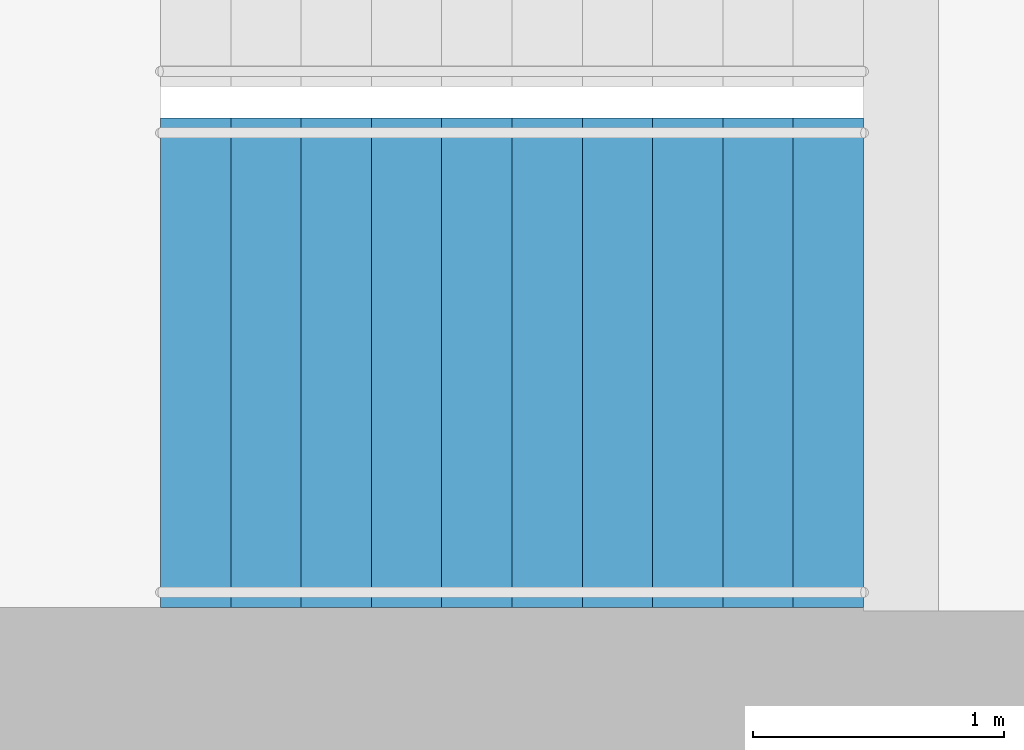
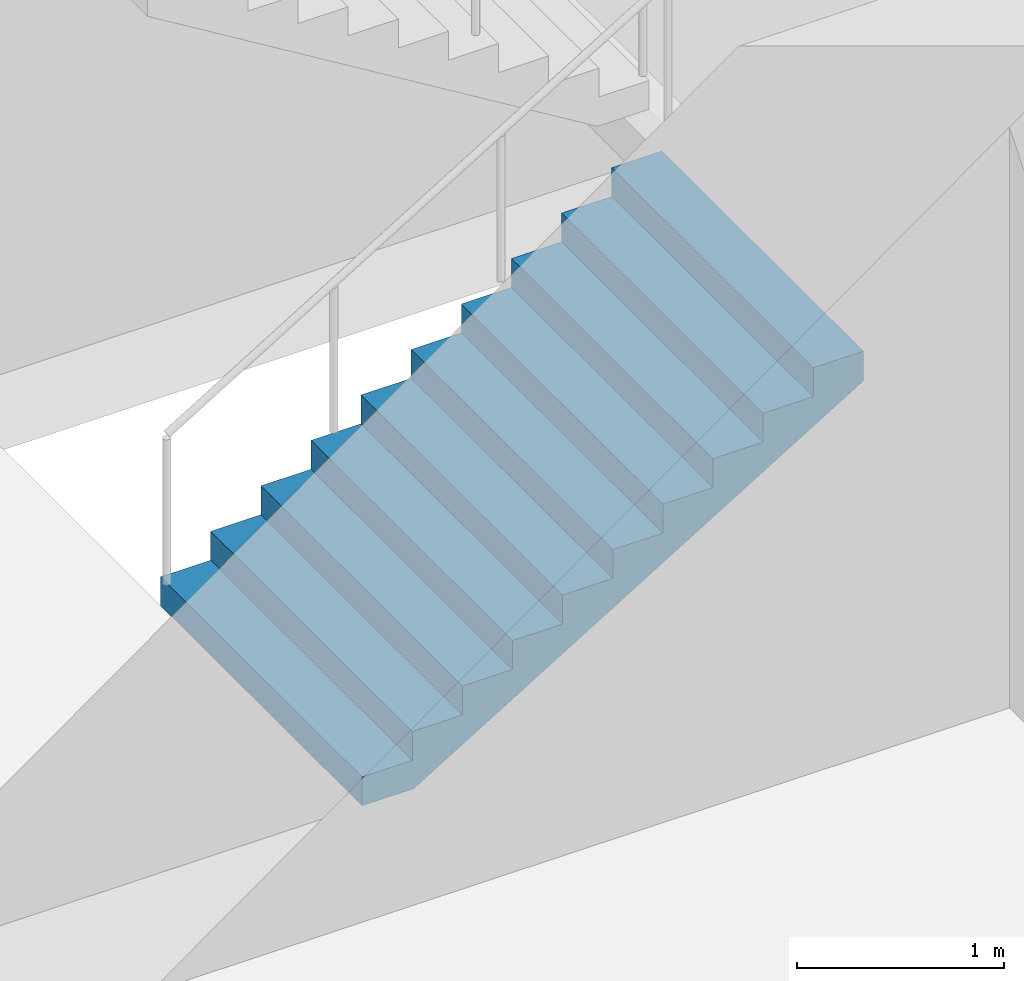
# One storey, part 23 of 29: 1 stair flight, 1 element without a shape of its own.
"""IFC4 building model written with IfcOpenShell, lengths in metres."""

from ifc_helpers import new_model, si_unit, direction, frame, origin, place, context, subcontext, project, spatial, triangles, material, type_object, element, aggregate, save


model = new_model("IFC4")

# Units and contexts
model_context = context("Model", 3, precision=1e-05, world=origin(), true_north=direction((0.0, 1.0)))
body_context = subcontext(model_context, "Body", "Model", "MODEL_VIEW")
ifc_project = project(units=[si_unit("LENGTHUNIT", "METRE"), si_unit("AREAUNIT", "SQUARE_METRE"), si_unit("VOLUMEUNIT", "CUBIC_METRE"), si_unit("PLANEANGLEUNIT", "RADIAN"), si_unit("MASSUNIT", "GRAM", prefix="KILO")], contexts=[model_context])

# Site, building, storey
site_placement = place(None, origin())
site = spatial("IfcSite", under=ifc_project, at=site_placement, CompositionType="ELEMENT")
building_placement = place(site_placement, origin())
building = spatial("IfcBuilding", under=site, at=building_placement, Name="Orbita Commons", CompositionType="ELEMENT")
storey_placement = place(building_placement, frame((0.0, 0.0, 163.60009765625)))
storey = spatial("IfcBuildingStorey", under=building, at=storey_placement, Name="L40", CompositionType="ELEMENT", Elevation=163.60009765625)

# Stair, stair flight
ifc_material_1 = material(Name="Precast concrete C40/50", Category="concrete")
stair_type = type_object("IfcStairType", Name="Exit stair S1 2 flights 11 risers 170", PredefinedType="HALF_TURN_STAIR", material=ifc_material_1)
stair_placement = place(storey_placement, origin())
stair = element("IfcStair", 1, at=stair_placement, inside=storey, type_object=stair_type, Name="Exit stair S1 L40", PredefinedType="HALF_TURN_STAIR")
ifc_material_2 = material(Name="Precast concrete C40/50", Category="concrete")
stair_flight_type = type_object("IfcStairFlightType", Name="Stair flight 11 risers 170 x 280", PredefinedType="STRAIGHT", material=ifc_material_2)
stair_flight_placement = place(storey_placement, frame((20.449951171875, 27.199951171875, 0.0), z_axis=(0.0, 0.0, 1.0), x_axis=(1.0, 0.0, 0.0)))
stair_flight = element("IfcStairFlight", 2, at=stair_flight_placement, type_object=stair_flight_type, Name="S1 flight 1", NumberOfRisers=11, NumberOfTreads=10, PredefinedType="STRAIGHT", RiserHeight=0.170454545, TreadLength=0.28, context=body_context, shape_type="Tessellation", body=[
    triangles([(0.0, 0.974976, 0.0), (0.0, 0.974976, 0.021307), (0.0, 0.81248, 0.021307), (0.0, 0.81248, 0.0), (0.0, 0.649984, 0.021307), (0.0, 0.649984, 0.0), (0.0, 0.487488, 0.021307), (0.0, 0.487488, 0.0), (0.0, 0.324992, 0.021307), (0.0, 0.324992, 0.0), (0.0, 0.162496, 0.021307), (0.0, 0.162496, 0.0), (0.0, 0.0, 0.021307), (0.0, 0.0, 0.0), (0.0, -0.162496, 0.021307), (0.0, -0.162496, 0.0), (0.0, -0.324992, 0.021307), (0.0, -0.324992, 0.0), (0.0, -0.487488, 0.021307), (0.0, -0.487488, 0.0), (0.0, -0.649984, 0.021307), (0.0, -0.649984, 0.0), (0.0, -0.81248, 0.021307), (0.0, -0.81248, 0.0), (0.0, -0.974976, 0.021307), (0.0, -0.974976, 0.0), (0.0, 0.974976, 0.042614), (0.0, 0.81248, 0.042614), (0.0, 0.649984, 0.042614), (0.0, 0.487488, 0.042614), (0.0, 0.324992, 0.042614), (0.0, 0.162496, 0.042614), (0.0, 0.0, 0.042614), (0.0, -0.162496, 0.042614), (0.0, -0.324992, 0.042614), (0.0, -0.487488, 0.042614), (0.0, -0.649984, 0.042614), (0.0, -0.81248, 0.042614), (0.0, -0.974976, 0.042614), (0.0, 0.974976, 0.06392), (0.0, 0.81248, 0.06392), (0.0, 0.649984, 0.06392), (0.0, 0.487488, 0.06392), (0.0, 0.324992, 0.06392), (0.0, 0.162496, 0.06392), (0.0, 0.0, 0.06392), (0.0, -0.162496, 0.06392), (0.0, -0.324992, 0.06392), (0.0, -0.487488, 0.06392), (0.0, -0.649984, 0.06392), (0.0, -0.81248, 0.06392), (0.0, -0.974976, 0.06392), (0.0, 0.974976, 0.085227), (0.0, 0.81248, 0.085227), (0.0, 0.649984, 0.085227), (0.0, 0.487488, 0.085227), (0.0, 0.324992, 0.085227), (0.0, 0.162496, 0.085227), (0.0, 0.0, 0.085227), (0.0, -0.162496, 0.085227), (0.0, -0.324992, 0.085227), (0.0, -0.487488, 0.085227), (0.0, -0.649984, 0.085227), (0.0, -0.81248, 0.085227), (0.0, -0.974976, 0.085227), (0.0, 0.974976, 0.106534), (0.0, 0.81248, 0.106534), (0.0, 0.649984, 0.106534), (0.0, 0.487488, 0.106534), (0.0, 0.324992, 0.106534), (0.0, 0.162496, 0.106534), (0.0, 0.0, 0.106534), (0.0, -0.162496, 0.106534), (0.0, -0.324992, 0.106534), (0.0, -0.487488, 0.106534), (0.0, -0.649984, 0.106534), (0.0, -0.81248, 0.106534), (0.0, -0.974976, 0.106534), (0.0, 0.974976, 0.127841), (0.0, 0.81248, 0.127841), (0.0, 0.649984, 0.127841), (0.0, 0.487488, 0.127841), (0.0, 0.324992, 0.127841), (0.0, 0.162496, 0.127841), (0.0, 0.0, 0.127841), (0.0, -0.162496, 0.127841), (0.0, -0.324992, 0.127841), (0.0, -0.487488, 0.127841), (0.0, -0.649984, 0.127841), (0.0, -0.81248, 0.127841), (0.0, -0.974976, 0.127841), (0.0, 0.974976, 0.149148), (0.0, 0.81248, 0.149148), (0.0, 0.649984, 0.149148), (0.0, 0.487488, 0.149148), (0.0, 0.324992, 0.149148), (0.0, 0.162496, 0.149148), (0.0, 0.0, 0.149148), (0.0, -0.162496, 0.149148), (0.0, -0.324992, 0.149148), (0.0, -0.487488, 0.149148), (0.0, -0.649984, 0.149148), (0.0, -0.81248, 0.149148), (0.0, -0.974976, 0.149148), (0.0, 0.974976, 0.170455), (0.0, 0.81248, 0.170455), (0.0, 0.649984, 0.170455), (0.0, 0.487488, 0.170455), (0.0, 0.324992, 0.170455), (0.0, 0.162496, 0.170455), (0.0, 0.0, 0.170455), (0.0, -0.162496, 0.170455), (0.0, -0.324992, 0.170455), (0.0, -0.487488, 0.170455), (0.0, -0.649984, 0.170455), (0.0, -0.81248, 0.170455), (0.0, -0.974976, 0.170455), (0.28, 0.974976, 0.170455), (0.28, 0.81248, 0.170455), (0.28, 0.649984, 0.170455), (0.28, 0.487488, 0.170455), (0.28, 0.324992, 0.170455), (0.28, 0.162496, 0.170455), (0.28, 0.0, 0.170455), (0.28, -0.162496, 0.170455), (0.28, -0.324992, 0.170455), (0.28, -0.487488, 0.170455), (0.28, -0.649984, 0.170455), (0.28, -0.81248, 0.170455), (0.28, -0.974976, 0.170455), (0.28, 0.974976, 0.340909), (0.28, 0.81248, 0.340909), (0.28, 0.649984, 0.340909), (0.28, 0.487488, 0.340909), (0.28, 0.324992, 0.340909), (0.28, 0.162496, 0.340909), (0.28, 0.0, 0.340909), (0.28, -0.162496, 0.340909), (0.28, -0.324992, 0.340909), (0.28, -0.487488, 0.340909), (0.28, -0.649984, 0.340909), (0.28, -0.81248, 0.340909), (0.28, -0.974976, 0.340909), (0.56, 0.974976, 0.340909), (0.56, 0.81248, 0.340909), (0.56, 0.649984, 0.340909), (0.56, 0.487488, 0.340909), (0.56, 0.324992, 0.340909), (0.56, 0.162496, 0.340909), (0.56, 0.0, 0.340909), (0.56, -0.162496, 0.340909), (0.56, -0.324992, 0.340909), (0.56, -0.487488, 0.340909), (0.56, -0.649984, 0.340909), (0.56, -0.81248, 0.340909), (0.56, -0.974976, 0.340909), (0.56, 0.974976, 0.511364), (0.56, 0.81248, 0.511364), (0.56, 0.649984, 0.511364), (0.56, 0.487488, 0.511364), (0.56, 0.324992, 0.511364), (0.56, 0.162496, 0.511364), (0.56, 0.0, 0.511364), (0.56, -0.162496, 0.511364), (0.56, -0.324992, 0.511364), (0.56, -0.487488, 0.511364), (0.56, -0.649984, 0.511364), (0.56, -0.81248, 0.511364), (0.56, -0.974976, 0.511364), (0.84, 0.974976, 0.511364), (0.84, 0.81248, 0.511364), (0.84, 0.649984, 0.511364), (0.84, 0.487488, 0.511364), (0.84, 0.324992, 0.511364), (0.84, 0.162496, 0.511364), (0.84, 0.0, 0.511364), (0.84, -0.162496, 0.511364), (0.84, -0.324992, 0.511364), (0.84, -0.487488, 0.511364), (0.84, -0.649984, 0.511364), (0.84, -0.81248, 0.511364), (0.84, -0.974976, 0.511364), (0.84, 0.974976, 0.681818), (0.84, 0.81248, 0.681818), (0.84, 0.649984, 0.681818), (0.84, 0.487488, 0.681818), (0.84, 0.324992, 0.681818), (0.84, 0.162496, 0.681818), (0.84, 0.0, 0.681818), (0.84, -0.162496, 0.681818), (0.84, -0.324992, 0.681818), (0.84, -0.487488, 0.681818), (0.84, -0.649984, 0.681818), (0.84, -0.81248, 0.681818), (0.84, -0.974976, 0.681818), (1.12, 0.974976, 0.681818), (1.12, 0.81248, 0.681818), (1.12, 0.649984, 0.681818), (1.12, 0.487488, 0.681818), (1.12, 0.324992, 0.681818), (1.12, 0.162496, 0.681818), (1.12, 0.0, 0.681818), (1.12, -0.162496, 0.681818), (1.12, -0.324992, 0.681818), (1.12, -0.487488, 0.681818), (1.12, -0.649984, 0.681818), (1.12, -0.81248, 0.681818), (1.12, -0.974976, 0.681818), (1.12, 0.974976, 0.852273), (1.12, 0.81248, 0.852273), (1.12, 0.649984, 0.852273), (1.12, 0.487488, 0.852273), (1.12, 0.324992, 0.852273), (1.12, 0.162496, 0.852273), (1.12, 0.0, 0.852273), (1.12, -0.162496, 0.852273), (1.12, -0.324992, 0.852273), (1.12, -0.487488, 0.852273), (1.12, -0.649984, 0.852273), (1.12, -0.81248, 0.852273), (1.12, -0.974976, 0.852273), (1.4, 0.974976, 0.852273), (1.4, 0.81248, 0.852273), (1.4, 0.649984, 0.852273), (1.4, 0.487488, 0.852273), (1.4, 0.324992, 0.852273), (1.4, 0.162496, 0.852273), (1.4, 0.0, 0.852273), (1.4, -0.162496, 0.852273), (1.4, -0.324992, 0.852273), (1.4, -0.487488, 0.852273), (1.4, -0.649984, 0.852273), (1.4, -0.81248, 0.852273), (1.4, -0.974976, 0.852273), (1.4, 0.974976, 1.022727), (1.4, 0.81248, 1.022727), (1.4, 0.649984, 1.022727), (1.4, 0.487488, 1.022727), (1.4, 0.324992, 1.022727), (1.4, 0.162496, 1.022727), (1.4, 0.0, 1.022727), (1.4, -0.162496, 1.022727), (1.4, -0.324992, 1.022727), (1.4, -0.487488, 1.022727), (1.4, -0.649984, 1.022727), (1.4, -0.81248, 1.022727), (1.4, -0.974976, 1.022727), (1.68, 0.974976, 1.022727), (1.68, 0.81248, 1.022727), (1.68, 0.649984, 1.022727), (1.68, 0.487488, 1.022727), (1.68, 0.324992, 1.022727), (1.68, 0.162496, 1.022727), (1.68, 0.0, 1.022727), (1.68, -0.162496, 1.022727), (1.68, -0.324992, 1.022727), (1.68, -0.487488, 1.022727), (1.68, -0.649984, 1.022727), (1.68, -0.81248, 1.022727), (1.68, -0.974976, 1.022727), (1.68, 0.974976, 1.193182), (1.68, 0.81248, 1.193182), (1.68, 0.649984, 1.193182), (1.68, 0.487488, 1.193182), (1.68, 0.324992, 1.193182), (1.68, 0.162496, 1.193182), (1.68, 0.0, 1.193182), (1.68, -0.162496, 1.193182), (1.68, -0.324992, 1.193182), (1.68, -0.487488, 1.193182), (1.68, -0.649984, 1.193182), (1.68, -0.81248, 1.193182), (1.68, -0.974976, 1.193182), (1.96, 0.974976, 1.193182), (1.96, 0.81248, 1.193182), (1.96, 0.649984, 1.193182), (1.96, 0.487488, 1.193182), (1.96, 0.324992, 1.193182), (1.96, 0.162496, 1.193182), (1.96, 0.0, 1.193182), (1.96, -0.162496, 1.193182), (1.96, -0.324992, 1.193182), (1.96, -0.487488, 1.193182), (1.96, -0.649984, 1.193182), (1.96, -0.81248, 1.193182), (1.96, -0.974976, 1.193182), (1.96, 0.974976, 1.363636), (1.96, 0.81248, 1.363636), (1.96, 0.649984, 1.363636), (1.96, 0.487488, 1.363636), (1.96, 0.324992, 1.363636), (1.96, 0.162496, 1.363636), (1.96, 0.0, 1.363636), (1.96, -0.162496, 1.363636), (1.96, -0.324992, 1.363636), (1.96, -0.487488, 1.363636), (1.96, -0.649984, 1.363636), (1.96, -0.81248, 1.363636), (1.96, -0.974976, 1.363636), (2.24, 0.974976, 1.363636), (2.24, 0.81248, 1.363636), (2.24, 0.649984, 1.363636), (2.24, 0.487488, 1.363636), (2.24, 0.324992, 1.363636), (2.24, 0.162496, 1.363636), (2.24, 0.0, 1.363636), (2.24, -0.162496, 1.363636), (2.24, -0.324992, 1.363636), (2.24, -0.487488, 1.363636), (2.24, -0.649984, 1.363636), (2.24, -0.81248, 1.363636), (2.24, -0.974976, 1.363636), (2.24, 0.974976, 1.534091), (2.24, 0.81248, 1.534091), (2.24, 0.649984, 1.534091), (2.24, 0.487488, 1.534091), (2.24, 0.324992, 1.534091), (2.24, 0.162496, 1.534091), (2.24, 0.0, 1.534091), (2.24, -0.162496, 1.534091), (2.24, -0.324992, 1.534091), (2.24, -0.487488, 1.534091), (2.24, -0.649984, 1.534091), (2.24, -0.81248, 1.534091), (2.24, -0.974976, 1.534091), (2.52, 0.974976, 1.534091), (2.52, 0.81248, 1.534091), (2.52, 0.649984, 1.534091), (2.52, 0.487488, 1.534091), (2.52, 0.324992, 1.534091), (2.52, 0.162496, 1.534091), (2.52, 0.0, 1.534091), (2.52, -0.162496, 1.534091), (2.52, -0.324992, 1.534091), (2.52, -0.487488, 1.534091), (2.52, -0.649984, 1.534091), (2.52, -0.81248, 1.534091), (2.52, -0.974976, 1.534091), (2.52, 0.974976, 1.704545), (2.52, 0.81248, 1.704545), (2.52, 0.649984, 1.704545), (2.52, 0.487488, 1.704545), (2.52, 0.324992, 1.704545), (2.52, 0.162496, 1.704545), (2.52, 0.0, 1.704545), (2.52, -0.162496, 1.704545), (2.52, -0.324992, 1.704545), (2.52, -0.487488, 1.704545), (2.52, -0.649984, 1.704545), (2.52, -0.81248, 1.704545), (2.52, -0.974976, 1.704545), (2.8, 0.974976, 1.704545), (2.8, 0.81248, 1.704545), (2.8, 0.649984, 1.704545), (2.8, 0.487488, 1.704545), (2.8, 0.324992, 1.704545), (2.8, 0.162496, 1.704545), (2.8, 0.0, 1.704545), (2.8, -0.162496, 1.704545), (2.8, -0.324992, 1.704545), (2.8, -0.487488, 1.704545), (2.8, -0.649984, 1.704545), (2.8, -0.81248, 1.704545), (2.8, -0.974976, 1.704545), (2.8, 0.974976, 1.682609), (2.8, 0.81248, 1.682609), (2.8, 0.649984, 1.682609), (2.8, 0.487488, 1.682609), (2.8, 0.324992, 1.682609), (2.8, 0.162496, 1.682609), (2.8, 0.0, 1.682609), (2.8, -0.162496, 1.682609), (2.8, -0.324992, 1.682609), (2.8, -0.487488, 1.682609), (2.8, -0.649984, 1.682609), (2.8, -0.81248, 1.682609), (2.8, -0.974976, 1.682609), (2.8, 0.974976, 1.660672), (2.8, 0.81248, 1.660672), (2.8, 0.649984, 1.660672), (2.8, 0.487488, 1.660672), (2.8, 0.324992, 1.660672), (2.8, 0.162496, 1.660672), (2.8, 0.0, 1.660672), (2.8, -0.162496, 1.660672), (2.8, -0.324992, 1.660672), (2.8, -0.487488, 1.660672), (2.8, -0.649984, 1.660672), (2.8, -0.81248, 1.660672), (2.8, -0.974976, 1.660672), (2.8, 0.974976, 1.638735), (2.8, 0.81248, 1.638735), (2.8, 0.649984, 1.638735), (2.8, 0.487488, 1.638735), (2.8, 0.324992, 1.638735), (2.8, 0.162496, 1.638735), (2.8, 0.0, 1.638735), (2.8, -0.162496, 1.638735), (2.8, -0.324992, 1.638735), (2.8, -0.487488, 1.638735), (2.8, -0.649984, 1.638735), (2.8, -0.81248, 1.638735), (2.8, -0.974976, 1.638735), (2.8, 0.974976, 1.616798), (2.8, 0.81248, 1.616798), (2.8, 0.649984, 1.616798), (2.8, 0.487488, 1.616798), (2.8, 0.324992, 1.616798), (2.8, 0.162496, 1.616798), (2.8, 0.0, 1.616798), (2.8, -0.162496, 1.616798), (2.8, -0.324992, 1.616798), (2.8, -0.487488, 1.616798), (2.8, -0.649984, 1.616798), (2.8, -0.81248, 1.616798), (2.8, -0.974976, 1.616798), (2.8, 0.974976, 1.594861), (2.8, 0.81248, 1.594861), (2.8, 0.649984, 1.594861), (2.8, 0.487488, 1.594861), (2.8, 0.324992, 1.594861), (2.8, 0.162496, 1.594861), (2.8, 0.0, 1.594861), (2.8, -0.162496, 1.594861), (2.8, -0.324992, 1.594861), (2.8, -0.487488, 1.594861), (2.8, -0.649984, 1.594861), (2.8, -0.81248, 1.594861), (2.8, -0.974976, 1.594861), (2.8, 0.974976, 1.572925), (2.8, 0.81248, 1.572925), (2.8, 0.649984, 1.572925), (2.8, 0.487488, 1.572925), (2.8, 0.324992, 1.572925), (2.8, 0.162496, 1.572925), (2.8, 0.0, 1.572925), (2.8, -0.162496, 1.572925), (2.8, -0.324992, 1.572925), (2.8, -0.487488, 1.572925), (2.8, -0.649984, 1.572925), (2.8, -0.81248, 1.572925), (2.8, -0.974976, 1.572925), (2.8, 0.974976, 1.550988), (2.8, 0.81248, 1.550988), (2.8, 0.649984, 1.550988), (2.8, 0.487488, 1.550988), (2.8, 0.324992, 1.550988), (2.8, 0.162496, 1.550988), (2.8, 0.0, 1.550988), (2.8, -0.162496, 1.550988), (2.8, -0.324992, 1.550988), (2.8, -0.487488, 1.550988), (2.8, -0.649984, 1.550988), (2.8, -0.81248, 1.550988), (2.8, -0.974976, 1.550988), (2.8, 0.974976, 1.529051), (2.8, 0.81248, 1.529051), (2.8, 0.649984, 1.529051), (2.8, 0.487488, 1.529051), (2.8, 0.324992, 1.529051), (2.8, 0.162496, 1.529051), (2.8, 0.0, 1.529051), (2.8, -0.162496, 1.529051), (2.8, -0.324992, 1.529051), (2.8, -0.487488, 1.529051), (2.8, -0.649984, 1.529051), (2.8, -0.81248, 1.529051), (2.8, -0.974976, 1.529051), (0.288279, 0.974976, 0.0), (0.288279, 0.81248, 0.0), (0.288279, 0.649984, 0.0), (0.288279, 0.487488, 0.0), (0.288279, 0.324992, 0.0), (0.288279, 0.162496, 0.0), (0.288279, 0.0, 0.0), (0.288279, -0.162496, 0.0), (0.288279, -0.324992, 0.0), (0.288279, -0.487488, 0.0), (0.288279, -0.649984, 0.0), (0.288279, -0.81248, 0.0), (0.288279, -0.974976, 0.0)], [[3, 2, 1], [4, 3, 1], [5, 3, 4], [6, 5, 4], [7, 5, 6], [8, 7, 6], [9, 7, 8], [10, 9, 8], [11, 9, 10], [12, 11, 10], [13, 11, 12], [14, 13, 12], [15, 13, 14], [16, 15, 14], [17, 15, 16], [18, 17, 16], [19, 17, 18], [20, 19, 18], [21, 19, 20], [22, 21, 20], [23, 21, 22], [24, 23, 22], [25, 23, 24], [26, 25, 24], [28, 27, 2], [3, 28, 2], [29, 28, 3], [5, 29, 3], [30, 29, 5], [7, 30, 5], [31, 30, 7], [9, 31, 7], [32, 31, 9], [11, 32, 9], [33, 32, 11], [13, 33, 11], [34, 33, 13], [15, 34, 13], [35, 34, 15], [17, 35, 15], [36, 35, 17], [19, 36, 17], [37, 36, 19], [21, 37, 19], [38, 37, 21], [23, 38, 21], [39, 38, 23], [25, 39, 23], [41, 40, 27], [28, 41, 27], [42, 41, 28], [29, 42, 28], [43, 42, 29], [30, 43, 29], [44, 43, 30], [31, 44, 30], [45, 44, 31], [32, 45, 31], [46, 45, 32], [33, 46, 32], [47, 46, 33], [34, 47, 33], [48, 47, 34], [35, 48, 34], [49, 48, 35], [36, 49, 35], [50, 49, 36], [37, 50, 36], [51, 50, 37], [38, 51, 37], [52, 51, 38], [39, 52, 38], [54, 53, 40], [41, 54, 40], [55, 54, 41], [42, 55, 41], [56, 55, 42], [43, 56, 42], [57, 56, 43], [44, 57, 43], [58, 57, 44], [45, 58, 44], [59, 58, 45], [46, 59, 45], [60, 59, 46], [47, 60, 46], [61, 60, 47], [48, 61, 47], [62, 61, 48], [49, 62, 48], [63, 62, 49], [50, 63, 49], [64, 63, 50], [51, 64, 50], [65, 64, 51], [52, 65, 51], [67, 66, 53], [54, 67, 53], [68, 67, 54], [55, 68, 54], [69, 68, 55], [56, 69, 55], [70, 69, 56], [57, 70, 56], [71, 70, 57], [58, 71, 57], [72, 71, 58], [59, 72, 58], [73, 72, 59], [60, 73, 59], [74, 73, 60], [61, 74, 60], [75, 74, 61], [62, 75, 61], [76, 75, 62], [63, 76, 62], [77, 76, 63], [64, 77, 63], [78, 77, 64], [65, 78, 64], [80, 79, 66], [67, 80, 66], [81, 80, 67], [68, 81, 67], [82, 81, 68], [69, 82, 68], [83, 82, 69], [70, 83, 69], [84, 83, 70], [71, 84, 70], [85, 84, 71], [72, 85, 71], [86, 85, 72], [73, 86, 72], [87, 86, 73], [74, 87, 73], [88, 87, 74], [75, 88, 74], [89, 88, 75], [76, 89, 75], [90, 89, 76], [77, 90, 76], [91, 90, 77], [78, 91, 77], [93, 92, 79], [80, 93, 79], [94, 93, 80], [81, 94, 80], [95, 94, 81], [82, 95, 81], [96, 95, 82], [83, 96, 82], [97, 96, 83], [84, 97, 83], [98, 97, 84], [85, 98, 84], [99, 98, 85], [86, 99, 85], [100, 99, 86], [87, 100, 86], [101, 100, 87], [88, 101, 87], [102, 101, 88], [89, 102, 88], [103, 102, 89], [90, 103, 89], [104, 103, 90], [91, 104, 90], [106, 105, 92], [93, 106, 92], [107, 106, 93], [94, 107, 93], [108, 107, 94], [95, 108, 94], [109, 108, 95], [96, 109, 95], [110, 109, 96], [97, 110, 96], [111, 110, 97], [98, 111, 97], [112, 111, 98], [99, 112, 98], [113, 112, 99], [100, 113, 99], [114, 113, 100], [101, 114, 100], [115, 114, 101], [102, 115, 101], [116, 115, 102], [103, 116, 102], [117, 116, 103], [104, 117, 103], [119, 118, 105], [106, 119, 105], [120, 119, 106], [107, 120, 106], [121, 120, 107], [108, 121, 107], [122, 121, 108], [109, 122, 108], [123, 122, 109], [110, 123, 109], [124, 123, 110], [111, 124, 110], [125, 124, 111], [112, 125, 111], [126, 125, 112], [113, 126, 112], [127, 126, 113], [114, 127, 113], [128, 127, 114], [115, 128, 114], [129, 128, 115], [116, 129, 115], [130, 129, 116], [117, 130, 116], [132, 131, 118], [119, 132, 118], [133, 132, 119], [120, 133, 119], [134, 133, 120], [121, 134, 120], [135, 134, 121], [122, 135, 121], [136, 135, 122], [123, 136, 122], [137, 136, 123], [124, 137, 123], [138, 137, 124], [125, 138, 124], [139, 138, 125], [126, 139, 125], [140, 139, 126], [127, 140, 126], [141, 140, 127], [128, 141, 127], [142, 141, 128], [129, 142, 128], [143, 142, 129], [130, 143, 129], [145, 144, 131], [132, 145, 131], [146, 145, 132], [133, 146, 132], [147, 146, 133], [134, 147, 133], [148, 147, 134], [135, 148, 134], [149, 148, 135], [136, 149, 135], [150, 149, 136], [137, 150, 136], [151, 150, 137], [138, 151, 137], [152, 151, 138], [139, 152, 138], [153, 152, 139], [140, 153, 139], [154, 153, 140], [141, 154, 140], [155, 154, 141], [142, 155, 141], [156, 155, 142], [143, 156, 142], [158, 157, 144], [145, 158, 144], [159, 158, 145], [146, 159, 145], [160, 159, 146], [147, 160, 146], [161, 160, 147], [148, 161, 147], [162, 161, 148], [149, 162, 148], [163, 162, 149], [150, 163, 149], [164, 163, 150], [151, 164, 150], [165, 164, 151], [152, 165, 151], [166, 165, 152], [153, 166, 152], [167, 166, 153], [154, 167, 153], [168, 167, 154], [155, 168, 154], [169, 168, 155], [156, 169, 155], [171, 170, 157], [158, 171, 157], [172, 171, 158], [159, 172, 158], [173, 172, 159], [160, 173, 159], [174, 173, 160], [161, 174, 160], [175, 174, 161], [162, 175, 161], [176, 175, 162], [163, 176, 162], [177, 176, 163], [164, 177, 163], [178, 177, 164], [165, 178, 164], [179, 178, 165], [166, 179, 165], [180, 179, 166], [167, 180, 166], [181, 180, 167], [168, 181, 167], [182, 181, 168], [169, 182, 168], [184, 183, 170], [171, 184, 170], [185, 184, 171], [172, 185, 171], [186, 185, 172], [173, 186, 172], [187, 186, 173], [174, 187, 173], [188, 187, 174], [175, 188, 174], [189, 188, 175], [176, 189, 175], [190, 189, 176], [177, 190, 176], [191, 190, 177], [178, 191, 177], [192, 191, 178], [179, 192, 178], [193, 192, 179], [180, 193, 179], [194, 193, 180], [181, 194, 180], [195, 194, 181], [182, 195, 181], [197, 196, 183], [184, 197, 183], [198, 197, 184], [185, 198, 184], [199, 198, 185], [186, 199, 185], [200, 199, 186], [187, 200, 186], [201, 200, 187], [188, 201, 187], [202, 201, 188], [189, 202, 188], [203, 202, 189], [190, 203, 189], [204, 203, 190], [191, 204, 190], [205, 204, 191], [192, 205, 191], [206, 205, 192], [193, 206, 192], [207, 206, 193], [194, 207, 193], [208, 207, 194], [195, 208, 194], [210, 209, 196], [197, 210, 196], [211, 210, 197], [198, 211, 197], [212, 211, 198], [199, 212, 198], [213, 212, 199], [200, 213, 199], [214, 213, 200], [201, 214, 200], [215, 214, 201], [202, 215, 201], [216, 215, 202], [203, 216, 202], [217, 216, 203], [204, 217, 203], [218, 217, 204], [205, 218, 204], [219, 218, 205], [206, 219, 205], [220, 219, 206], [207, 220, 206], [221, 220, 207], [208, 221, 207], [223, 222, 209], [210, 223, 209], [224, 223, 210], [211, 224, 210], [225, 224, 211], [212, 225, 211], [226, 225, 212], [213, 226, 212], [227, 226, 213], [214, 227, 213], [228, 227, 214], [215, 228, 214], [229, 228, 215], [216, 229, 215], [230, 229, 216], [217, 230, 216], [231, 230, 217], [218, 231, 217], [232, 231, 218], [219, 232, 218], [233, 232, 219], [220, 233, 219], [234, 233, 220], [221, 234, 220], [236, 235, 222], [223, 236, 222], [237, 236, 223], [224, 237, 223], [238, 237, 224], [225, 238, 224], [239, 238, 225], [226, 239, 225], [240, 239, 226], [227, 240, 226], [241, 240, 227], [228, 241, 227], [242, 241, 228], [229, 242, 228], [243, 242, 229], [230, 243, 229], [244, 243, 230], [231, 244, 230], [245, 244, 231], [232, 245, 231], [246, 245, 232], [233, 246, 232], [247, 246, 233], [234, 247, 233], [249, 248, 235], [236, 249, 235], [250, 249, 236], [237, 250, 236], [251, 250, 237], [238, 251, 237], [252, 251, 238], [239, 252, 238], [253, 252, 239], [240, 253, 239], [254, 253, 240], [241, 254, 240], [255, 254, 241], [242, 255, 241], [256, 255, 242], [243, 256, 242], [257, 256, 243], [244, 257, 243], [258, 257, 244], [245, 258, 244], [259, 258, 245], [246, 259, 245], [260, 259, 246], [247, 260, 246], [262, 261, 248], [249, 262, 248], [263, 262, 249], [250, 263, 249], [264, 263, 250], [251, 264, 250], [265, 264, 251], [252, 265, 251], [266, 265, 252], [253, 266, 252], [267, 266, 253], [254, 267, 253], [268, 267, 254], [255, 268, 254], [269, 268, 255], [256, 269, 255], [270, 269, 256], [257, 270, 256], [271, 270, 257], [258, 271, 257], [272, 271, 258], [259, 272, 258], [273, 272, 259], [260, 273, 259], [275, 274, 261], [262, 275, 261], [276, 275, 262], [263, 276, 262], [277, 276, 263], [264, 277, 263], [278, 277, 264], [265, 278, 264], [279, 278, 265], [266, 279, 265], [280, 279, 266], [267, 280, 266], [281, 280, 267], [268, 281, 267], [282, 281, 268], [269, 282, 268], [283, 282, 269], [270, 283, 269], [284, 283, 270], [271, 284, 270], [285, 284, 271], [272, 285, 271], [286, 285, 272], [273, 286, 272], [288, 287, 274], [275, 288, 274], [289, 288, 275], [276, 289, 275], [290, 289, 276], [277, 290, 276], [291, 290, 277], [278, 291, 277], [292, 291, 278], [279, 292, 278], [293, 292, 279], [280, 293, 279], [294, 293, 280], [281, 294, 280], [295, 294, 281], [282, 295, 281], [296, 295, 282], [283, 296, 282], [297, 296, 283], [284, 297, 283], [298, 297, 284], [285, 298, 284], [299, 298, 285], [286, 299, 285], [301, 300, 287], [288, 301, 287], [302, 301, 288], [289, 302, 288], [303, 302, 289], [290, 303, 289], [304, 303, 290], [291, 304, 290], [305, 304, 291], [292, 305, 291], [306, 305, 292], [293, 306, 292], [307, 306, 293], [294, 307, 293], [308, 307, 294], [295, 308, 294], [309, 308, 295], [296, 309, 295], [310, 309, 296], [297, 310, 296], [311, 310, 297], [298, 311, 297], [312, 311, 298], [299, 312, 298], [314, 313, 300], [301, 314, 300], [315, 314, 301], [302, 315, 301], [316, 315, 302], [303, 316, 302], [317, 316, 303], [304, 317, 303], [318, 317, 304], [305, 318, 304], [319, 318, 305], [306, 319, 305], [320, 319, 306], [307, 320, 306], [321, 320, 307], [308, 321, 307], [322, 321, 308], [309, 322, 308], [323, 322, 309], [310, 323, 309], [324, 323, 310], [311, 324, 310], [325, 324, 311], [312, 325, 311], [327, 326, 313], [314, 327, 313], [328, 327, 314], [315, 328, 314], [329, 328, 315], [316, 329, 315], [330, 329, 316], [317, 330, 316], [331, 330, 317], [318, 331, 317], [332, 331, 318], [319, 332, 318], [333, 332, 319], [320, 333, 319], [334, 333, 320], [321, 334, 320], [335, 334, 321], [322, 335, 321], [336, 335, 322], [323, 336, 322], [337, 336, 323], [324, 337, 323], [338, 337, 324], [325, 338, 324], [340, 339, 326], [327, 340, 326], [341, 340, 327], [328, 341, 327], [342, 341, 328], [329, 342, 328], [343, 342, 329], [330, 343, 329], [344, 343, 330], [331, 344, 330], [345, 344, 331], [332, 345, 331], [346, 345, 332], [333, 346, 332], [347, 346, 333], [334, 347, 333], [348, 347, 334], [335, 348, 334], [349, 348, 335], [336, 349, 335], [350, 349, 336], [337, 350, 336], [351, 350, 337], [338, 351, 337], [353, 352, 339], [340, 353, 339], [354, 353, 340], [341, 354, 340], [355, 354, 341], [342, 355, 341], [356, 355, 342], [343, 356, 342], [357, 356, 343], [344, 357, 343], [358, 357, 344], [345, 358, 344], [359, 358, 345], [346, 359, 345], [360, 359, 346], [347, 360, 346], [361, 360, 347], [348, 361, 347], [362, 361, 348], [349, 362, 348], [363, 362, 349], [350, 363, 349], [364, 363, 350], [351, 364, 350], [366, 365, 352], [353, 366, 352], [367, 366, 353], [354, 367, 353], [368, 367, 354], [355, 368, 354], [369, 368, 355], [356, 369, 355], [370, 369, 356], [357, 370, 356], [371, 370, 357], [358, 371, 357], [372, 371, 358], [359, 372, 358], [373, 372, 359], [360, 373, 359], [374, 373, 360], [361, 374, 360], [375, 374, 361], [362, 375, 361], [376, 375, 362], [363, 376, 362], [377, 376, 363], [364, 377, 363], [379, 378, 365], [366, 379, 365], [380, 379, 366], [367, 380, 366], [381, 380, 367], [368, 381, 367], [382, 381, 368], [369, 382, 368], [383, 382, 369], [370, 383, 369], [384, 383, 370], [371, 384, 370], [385, 384, 371], [372, 385, 371], [386, 385, 372], [373, 386, 372], [387, 386, 373], [374, 387, 373], [388, 387, 374], [375, 388, 374], [389, 388, 375], [376, 389, 375], [390, 389, 376], [377, 390, 376], [392, 391, 378], [379, 392, 378], [393, 392, 379], [380, 393, 379], [394, 393, 380], [381, 394, 380], [395, 394, 381], [382, 395, 381], [396, 395, 382], [383, 396, 382], [397, 396, 383], [384, 397, 383], [398, 397, 384], [385, 398, 384], [399, 398, 385], [386, 399, 385], [400, 399, 386], [387, 400, 386], [401, 400, 387], [388, 401, 387], [402, 401, 388], [389, 402, 388], [403, 402, 389], [390, 403, 389], [405, 404, 391], [392, 405, 391], [406, 405, 392], [393, 406, 392], [407, 406, 393], [394, 407, 393], [408, 407, 394], [395, 408, 394], [409, 408, 395], [396, 409, 395], [410, 409, 396], [397, 410, 396], [411, 410, 397], [398, 411, 397], [412, 411, 398], [399, 412, 398], [413, 412, 399], [400, 413, 399], [414, 413, 400], [401, 414, 400], [415, 414, 401], [402, 415, 401], [416, 415, 402], [403, 416, 402], [418, 417, 404], [405, 418, 404], [419, 418, 405], [406, 419, 405], [420, 419, 406], [407, 420, 406], [421, 420, 407], [408, 421, 407], [422, 421, 408], [409, 422, 408], [423, 422, 409], [410, 423, 409], [424, 423, 410], [411, 424, 410], [425, 424, 411], [412, 425, 411], [426, 425, 412], [413, 426, 412], [427, 426, 413], [414, 427, 413], [428, 427, 414], [415, 428, 414], [429, 428, 415], [416, 429, 415], [431, 430, 417], [418, 431, 417], [432, 431, 418], [419, 432, 418], [433, 432, 419], [420, 433, 419], [434, 433, 420], [421, 434, 420], [435, 434, 421], [422, 435, 421], [436, 435, 422], [423, 436, 422], [437, 436, 423], [424, 437, 423], [438, 437, 424], [425, 438, 424], [439, 438, 425], [426, 439, 425], [440, 439, 426], [427, 440, 426], [441, 440, 427], [428, 441, 427], [442, 441, 428], [429, 442, 428], [444, 443, 430], [431, 444, 430], [445, 444, 431], [432, 445, 431], [446, 445, 432], [433, 446, 432], [447, 446, 433], [434, 447, 433], [448, 447, 434], [435, 448, 434], [449, 448, 435], [436, 449, 435], [450, 449, 436], [437, 450, 436], [451, 450, 437], [438, 451, 437], [452, 451, 438], [439, 452, 438], [453, 452, 439], [440, 453, 439], [454, 453, 440], [441, 454, 440], [455, 454, 441], [442, 455, 441], [457, 456, 443], [444, 457, 443], [458, 457, 444], [445, 458, 444], [459, 458, 445], [446, 459, 445], [460, 459, 446], [447, 460, 446], [461, 460, 447], [448, 461, 447], [462, 461, 448], [449, 462, 448], [463, 462, 449], [450, 463, 449], [464, 463, 450], [451, 464, 450], [465, 464, 451], [452, 465, 451], [466, 465, 452], [453, 466, 452], [467, 466, 453], [454, 467, 453], [468, 467, 454], [455, 468, 454], [470, 469, 456], [457, 470, 456], [471, 470, 457], [458, 471, 457], [472, 471, 458], [459, 472, 458], [473, 472, 459], [460, 473, 459], [474, 473, 460], [461, 474, 460], [475, 474, 461], [462, 475, 461], [476, 475, 462], [463, 476, 462], [477, 476, 463], [464, 477, 463], [478, 477, 464], [465, 478, 464], [479, 478, 465], [466, 479, 465], [480, 479, 466], [467, 480, 466], [481, 480, 467], [468, 481, 467], [4, 1, 469], [470, 4, 469], [6, 4, 470], [471, 6, 470], [8, 6, 471], [472, 8, 471], [10, 8, 472], [473, 10, 472], [12, 10, 473], [474, 12, 473], [14, 12, 474], [475, 14, 474], [16, 14, 475], [476, 16, 475], [18, 16, 476], [477, 18, 476], [20, 18, 477], [478, 20, 477], [22, 20, 478], [479, 22, 478], [24, 22, 479], [480, 24, 479], [26, 24, 480], [481, 26, 480], [456, 469, 1], [26, 481, 468], [443, 456, 1], [26, 468, 455], [430, 443, 1], [26, 455, 442], [417, 430, 1], [26, 442, 429], [404, 417, 1], [26, 429, 416], [391, 404, 1], [26, 416, 403], [378, 391, 1], [26, 403, 390], [365, 378, 1], [26, 390, 377], [339, 352, 365], [377, 364, 351], [326, 339, 365], [377, 351, 338], [300, 313, 326], [338, 325, 312], [300, 326, 365], [377, 338, 312], [274, 287, 300], [312, 299, 286], [274, 300, 365], [377, 312, 286], [248, 261, 274], [286, 273, 260], [248, 274, 365], [377, 286, 260], [222, 235, 248], [260, 247, 234], [222, 248, 365], [377, 260, 234], [196, 209, 222], [234, 221, 208], [196, 222, 365], [377, 234, 208], [170, 183, 196], [208, 195, 182], [170, 196, 365], [377, 208, 182], [144, 157, 170], [182, 169, 156], [144, 170, 365], [377, 182, 156], [118, 131, 144], [156, 143, 130], [118, 144, 365], [377, 156, 130], [118, 365, 1], [26, 377, 130], [92, 105, 118], [130, 117, 104], [79, 92, 118], [130, 104, 91], [66, 79, 118], [130, 91, 78], [53, 66, 118], [130, 78, 65], [40, 53, 118], [130, 65, 52], [27, 40, 118], [130, 52, 39], [2, 27, 118], [130, 39, 25], [1, 2, 118], [130, 25, 26]], closed=True),
])
aggregate(stair, [stair_flight])

save(model, "model.ifc")
